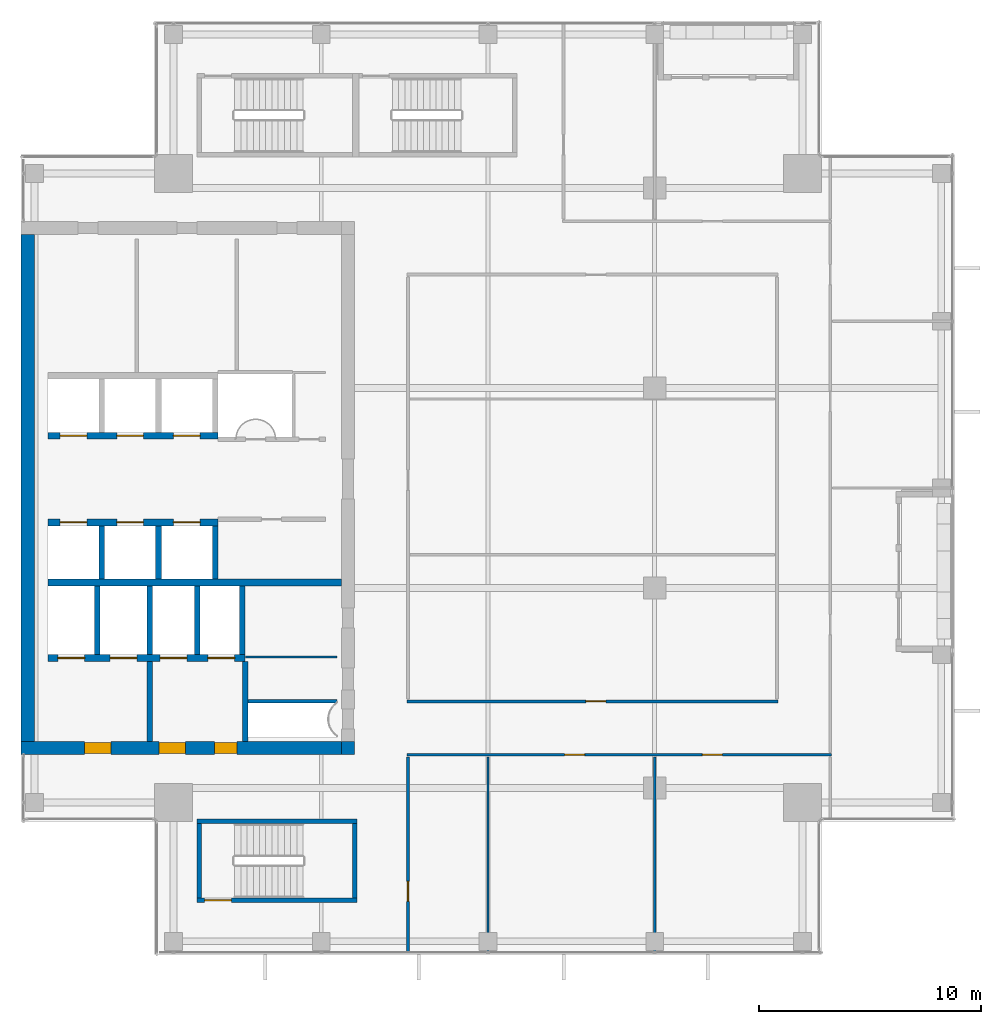
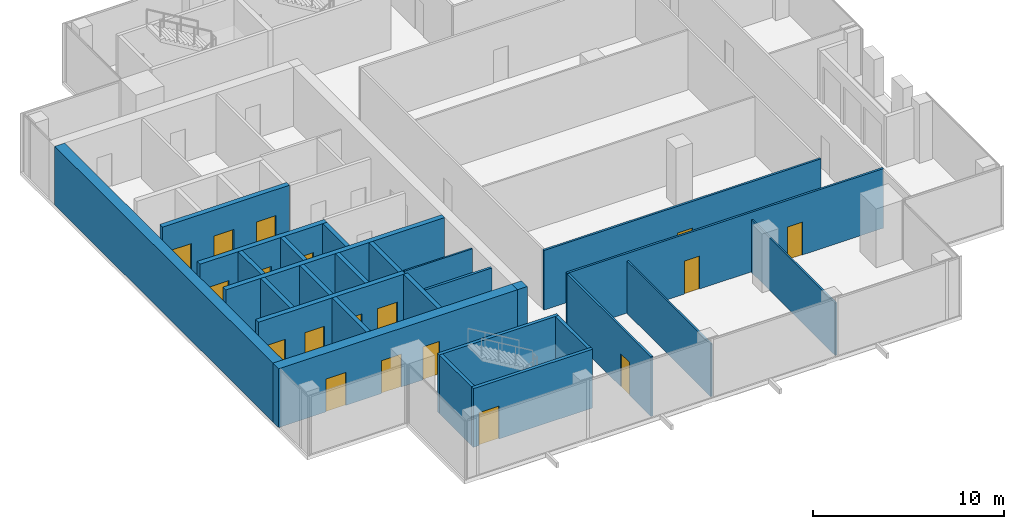
# One storey, part 24 of 29: 27 walls, 18 doors, 18 openings.
"""IFC4 building model written with IfcOpenShell, lengths in metres."""

from ifc_helpers import new_model, si_unit, direction, frame, frame_2d, origin, place, context, subcontext, project, spatial, rectangle, extrude, source, transform, mapped, material, layer, layer_set, type_object, element, fill, save


model = new_model("IFC4")

# Units and contexts
model_context = context("Model", 3, precision=1e-05, world=origin(), true_north=direction((0.0, 1.0)))
body_context = subcontext(model_context, "Body", "Model", "MODEL_VIEW")
ifc_project = project(units=[si_unit("LENGTHUNIT", "METRE"), si_unit("AREAUNIT", "SQUARE_METRE"), si_unit("VOLUMEUNIT", "CUBIC_METRE"), si_unit("PLANEANGLEUNIT", "RADIAN"), si_unit("MASSUNIT", "GRAM", prefix="KILO")], contexts=[model_context])

# Site, building, storey
site_placement = place(None, origin())
site = spatial("IfcSite", under=ifc_project, at=site_placement, CompositionType="ELEMENT")
building_placement = place(site_placement, origin())
building = spatial("IfcBuilding", under=site, at=building_placement, Name="Khomas Fold Tower", CompositionType="ELEMENT")
storey_placement = place(building_placement, frame((0.0, 0.0, 286.199951171875)))
storey = spatial("IfcBuildingStorey", under=building, at=storey_placement, Name="L64", CompositionType="ELEMENT", Elevation=286.199951171875)

# Wall
ifc_material_1 = material(Name="Concrete C50/60", Category="concrete")
ifc_layer_1 = layer(ifc_material_1, 0.199951171875)
ifc_layer_set_1 = layer_set([ifc_layer_1], Name="Concrete C50/60")
wall_type_1 = type_object("IfcWallType", Name="Stair wall 200", PredefinedType="SHEAR", material=ifc_layer_set_1)
shared_shape_1 = source(origin(), body_context, "Body", "SweptSolid", [
    extrude(rectangle(XDim=7.2001953125, YDim=0.199951171875, at=frame_2d((3.60009765625, 0.0))), origin(), (0.0, 0.0, 1.0), 3.75),
])
wall_1_placement = place(storey_placement, frame((13.89990234375, 12.0, 0.0), z_axis=(0.0, 0.0, 1.0), x_axis=(1.0, 0.0, 0.0)))
element("IfcWall", 1, at=wall_1_placement, inside=storey, type_object=wall_type_1, Name="Stair wall SW-ST2-NH", PredefinedType="SHEAR", context=body_context, shape_type="MappedRepresentation", body=[
    mapped(shared_shape_1, transform((0.0, 0.0, 0.0))),
])

# Wall, opening, door
wall_2_placement = place(storey_placement, frame((13.89990234375, 8.449951171875, 0.0), z_axis=(0.0, 0.0, 1.0), x_axis=(1.0, 0.0, 0.0)))
wall_2 = element("IfcWall", 2, at=wall_2_placement, inside=storey, type_object=wall_type_1, Name="Stair wall SW-ST2-S", PredefinedType="SHEAR", context=body_context, shape_type="MappedRepresentation", body=[
    mapped(shared_shape_1, transform((0.0, 0.0, 0.0))),
])
shared_shape_2 = source(origin(), body_context, "Body", "SweptSolid", [
    extrude(rectangle(XDim=1.199951171875, YDim=2.10009765625, at=frame_2d((0.60009765625, 1.050048828125))), frame((0.0, 0.10986328125, 0.0), z_axis=(0.0, -1.0, 0.0), x_axis=(1.0, 0.0, 0.0)), (0.0, 0.0, 1.0), 0.219970703125),
])
opening_1_placement = place(wall_2_placement, frame((0.35009765625, 0.0, 0.0)))
opening_1 = element("IfcOpeningElement", 3, at=opening_1_placement, cuts=wall_2, Name="Opening SD-ST2", PredefinedType="OPENING", context=body_context, shape_type="MappedRepresentation", body=[
    mapped(shared_shape_2, transform((0.0, 0.0, 0.0))),
])
ifc_material_2 = material(Name="Steel door leaf", Category="steel")
door_type_1 = type_object("IfcDoorType", Name="Stair door 1200x2100 right-hand", OperationType="SINGLE_SWING_RIGHT", PredefinedType="DOOR", material=ifc_material_2)
shared_shape_3 = source(origin(), body_context, "Body", "SweptSolid", [
    extrude(rectangle(XDim=1.199951171875, YDim=2.10009765625, at=frame_2d((0.60009765625, 1.050048828125))), frame((0.0, 0.02490234375, 0.0), z_axis=(0.0, -1.0, 0.0), x_axis=(1.0, 0.0, 0.0)), (0.0, 0.0, 1.0), 0.050048828125),
])
door_1_placement = place(opening_1_placement, origin())
door_1 = element("IfcDoor", 4, at=door_1_placement, inside=storey, type_object=door_type_1, Name="Stair door", OperationType="SINGLE_SWING_RIGHT", OverallHeight=2.10009765625, OverallWidth=1.199951171875, PredefinedType="DOOR", context=body_context, shape_type="MappedRepresentation", body=[
    mapped(shared_shape_3, transform((0.0, 0.0, 0.0))),
])
fill(opening_1, door_1)

# Walls
shared_shape_4 = source(origin(), body_context, "Body", "SweptSolid", [
    extrude(rectangle(XDim=3.349853515625, YDim=0.199951171875, at=frame_2d((1.6748046875, 0.0))), origin(), (0.0, 0.0, 1.0), 3.75),
])
for number, where, z_axis, x_axis, name in (
    (5, (21.0, 8.550048828125, 0.0), (0.0, 0.0, 1.0), (0.0, 1.0, 0.0), "Stair wall SW-ST2-E"),
    (6, (14.0, 8.550048828125, 0.0), (0.0, 0.0, 1.0), (0.0, 1.0, 0.0), "Stair wall SW-ST2-W"),
):
    element("IfcWall", number, at=place(storey_placement, frame(where, z_axis=z_axis, x_axis=x_axis)), inside=storey, type_object=wall_type_1, Name=name, PredefinedType="SHEAR", context=body_context, shape_type="MappedRepresentation", body=[
        mapped(shared_shape_4, transform((0.0, 0.0, 0.0))),
    ])
ifc_material_3 = material(Name="Concrete C50/60", Category="concrete")
ifc_layer_2 = layer(ifc_material_3, 0.25)
ifc_layer_set_2 = layer_set([ifc_layer_2], Name="Concrete C50/60")
wall_type_2 = type_object("IfcWallType", Name="Shaft wall 250", PredefinedType="STANDARD", material=ifc_layer_set_2)
shared_shape_5 = source(origin(), body_context, "Body", "SweptSolid", [
    extrude(rectangle(XDim=3.10009765625, YDim=0.25, at=frame_2d((1.550048828125, 0.0))), origin(), (0.0, 0.0, 1.0), 3.75),
])
for number, where, z_axis, x_axis, name in (
    (7, (9.425048828125, 19.5, 0.0), (0.0, 0.0, 1.0), (0.0, 1.0, 0.0), "Core wall SW-FS-P1"),
    (8, (11.77490234375, 19.5, 0.0), (0.0, 0.0, 1.0), (0.0, 1.0, 0.0), "Core wall SW-FS-P2"),
    (9, (13.925048828125, 19.5, 0.0), (0.0, 0.0, 1.0), (0.0, 1.0, 0.0), "Core wall SW-FS-P3"),
    (10, (15.949951171875, 19.5, 0.0), (0.0, 0.0, 1.0), (0.0, 1.0, 0.0), "Core wall SW-FS-PE"),
):
    element("IfcWall", number, at=place(storey_placement, frame(where, z_axis=z_axis, x_axis=x_axis)), inside=storey, type_object=wall_type_2, Name=name, PredefinedType="STANDARD", context=body_context, shape_type="MappedRepresentation", body=[
        mapped(shared_shape_5, transform((0.0, 0.0, 0.0))),
    ])
shared_shape_6 = source(origin(), body_context, "Body", "SweptSolid", [
    extrude(rectangle(XDim=2.400146484375, YDim=0.25, at=frame_2d((1.2001953125, 0.0))), origin(), (0.0, 0.0, 1.0), 3.75),
])
for number, where, z_axis, x_axis, name in (
    (11, (9.625, 22.89990234375, 0.0), (0.0, 0.0, 1.0), (0.0, 1.0, 0.0), "Core wall SW-HRS-P1"),
    (12, (12.175048828125, 22.89990234375, 0.0), (0.0, 0.0, 1.0), (0.0, 1.0, 0.0), "Core wall SW-HRS-P2"),
    (13, (14.72509765625, 22.89990234375, 0.0), (0.0, 0.0, 1.0), (0.0, 1.0, 0.0), "Core wall SW-HRS-PE"),
):
    element("IfcWall", number, at=place(storey_placement, frame(where, z_axis=z_axis, x_axis=x_axis)), inside=storey, type_object=wall_type_2, Name=name, PredefinedType="STANDARD", context=body_context, shape_type="MappedRepresentation", body=[
        mapped(shared_shape_6, transform((0.0, 0.0, 0.0))),
    ])

# Wall, openings, doors
ifc_material_4 = material(Name="Concrete C50/60", Category="concrete")
ifc_layer_3 = layer(ifc_material_4, 0.60009765625)
ifc_layer_set_3 = layer_set([ifc_layer_3], Name="Concrete C50/60")
wall_type_3 = type_object("IfcWallType", Name="Core wall 600", PredefinedType="SHEAR", material=ifc_layer_set_3)
shared_shape_7 = source(origin(), body_context, "Body", "SweptSolid", [
    extrude(rectangle(XDim=14.39990234375, YDim=0.60009765625, at=frame_2d((7.199951171875, 0.0))), origin(), (0.0, 0.0, 1.0), 3.75),
])
wall_3_placement = place(storey_placement, frame((6.0, 15.300048828125, 0.0), z_axis=(0.0, 0.0, 1.0), x_axis=(1.0, 0.0, 0.0)))
wall_3 = element("IfcWall", 14, at=wall_3_placement, inside=storey, type_object=wall_type_3, Name="Core wall CW-U-S-L63", PredefinedType="SHEAR", context=body_context, shape_type="MappedRepresentation", body=[
    mapped(shared_shape_7, transform((0.0, 0.0, 0.0))),
])
shared_shape_8 = source(origin(), body_context, "Body", "SweptSolid", [
    extrude(rectangle(XDim=1.199951171875, YDim=2.10009765625, at=frame_2d((0.60009765625, 1.050048828125))), frame((0.0, 0.31005859375, 0.0), z_axis=(0.0, -1.0, 0.0), x_axis=(1.0, 0.0, 0.0)), (0.0, 0.0, 1.0), 0.6201171875),
])
opening_2_placement = place(wall_3_placement, frame((6.199951171875, 0.0, 0.0)))
opening_2 = element("IfcOpeningElement", 15, at=opening_2_placement, cuts=wall_3, Name="Opening 0009", PredefinedType="OPENING", context=body_context, shape_type="MappedRepresentation", body=[
    mapped(shared_shape_8, transform((0.0, 0.0, 0.0))),
])
opening_3_placement = place(wall_3_placement, frame((2.85009765625, 0.0, 0.0)))
opening_3 = element("IfcOpeningElement", 16, at=opening_3_placement, cuts=wall_3, Name="Opening 0009", PredefinedType="OPENING", context=body_context, shape_type="MappedRepresentation", body=[
    mapped(shared_shape_8, transform((0.0, 0.0, 0.0))),
])
shared_shape_9 = source(origin(), body_context, "Body", "SweptSolid", [
    extrude(rectangle(XDim=1.0, YDim=2.10009765625, at=frame_2d((0.5, 1.050048828125))), frame((0.0, 0.31005859375, 0.0), z_axis=(0.0, -1.0, 0.0), x_axis=(1.0, 0.0, 0.0)), (0.0, 0.0, 1.0), 0.6201171875),
])
opening_4_placement = place(wall_3_placement, frame((8.699951171875, 0.0, 0.0)))
opening_4 = element("IfcOpeningElement", 17, at=opening_4_placement, cuts=wall_3, Name="Opening 0010", PredefinedType="OPENING", context=body_context, shape_type="MappedRepresentation", body=[
    mapped(shared_shape_9, transform((0.0, 0.0, 0.0))),
])
ifc_material_5 = material(Name="Steel door leaf", Category="steel")
door_type_2 = type_object("IfcDoorType", Name="Stair door 1000x2100 right-hand", OperationType="SINGLE_SWING_RIGHT", PredefinedType="DOOR", material=ifc_material_5)
shared_shape_10 = source(origin(), body_context, "Body", "SweptSolid", [
    extrude(rectangle(XDim=1.0, YDim=2.10009765625, at=frame_2d((0.5, 1.050048828125))), frame((0.0, 0.25, 0.0), z_axis=(0.0, -1.0, 0.0), x_axis=(1.0, 0.0, 0.0)), (0.0, 0.0, 1.0), 0.5),
])
door_2_placement = place(opening_4_placement, origin())
door_2 = element("IfcDoor", 18, at=door_2_placement, inside=storey, type_object=door_type_2, Name="Stair door", OperationType="SINGLE_SWING_RIGHT", OverallHeight=2.10009765625, OverallWidth=1.0, PredefinedType="DOOR", context=body_context, shape_type="MappedRepresentation", body=[
    mapped(shared_shape_10, transform((0.0, 0.0, 0.0))),
])
fill(opening_4, door_2)
ifc_material_6 = material(Name="Steel door leaf", Category="steel")
door_type_3 = type_object("IfcDoorType", Name="Lobby door 1200x2100 right-hand", OperationType="SINGLE_SWING_RIGHT", PredefinedType="DOOR", material=ifc_material_6)
shared_shape_11 = source(origin(), body_context, "Body", "SweptSolid", [
    extrude(rectangle(XDim=1.199951171875, YDim=2.10009765625, at=frame_2d((0.60009765625, 1.050048828125))), frame((0.0, 0.25, 0.0), z_axis=(0.0, -1.0, 0.0), x_axis=(1.0, 0.0, 0.0)), (0.0, 0.0, 1.0), 0.5),
])
door_3_placement = place(opening_2_placement, origin())
door_3 = element("IfcDoor", 19, at=door_3_placement, inside=storey, type_object=door_type_3, Name="Lobby door", OperationType="SINGLE_SWING_RIGHT", OverallHeight=2.10009765625, OverallWidth=1.199951171875, PredefinedType="DOOR", context=body_context, shape_type="MappedRepresentation", body=[
    mapped(shared_shape_11, transform((0.0, 0.0, 0.0))),
])
fill(opening_2, door_3)
door_4_placement = place(opening_3_placement, origin())
door_4 = element("IfcDoor", 20, at=door_4_placement, inside=storey, type_object=door_type_3, Name="Lobby door", OperationType="SINGLE_SWING_RIGHT", OverallHeight=2.10009765625, OverallWidth=1.199951171875, PredefinedType="DOOR", context=body_context, shape_type="MappedRepresentation", body=[
    mapped(shared_shape_11, transform((0.0, 0.0, 0.0))),
])
fill(opening_3, door_4)

# Walls
ifc_material_7 = material(Name="Concrete C50/60", Category="concrete")
ifc_layer_4 = layer(ifc_material_7, 0.60009765625)
ifc_layer_set_4 = layer_set([ifc_layer_4], Name="Concrete C50/60")
wall_type_4 = type_object("IfcWallType", Name="Core corner wall 600", PredefinedType="SHEAR", material=ifc_layer_set_4)
shared_shape_12 = source(origin(), body_context, "Body", "SweptSolid", [
    extrude(rectangle(XDim=0.60009765625, YDim=0.60009765625, at=frame_2d((0.300048828125, 0.0))), origin(), (0.0, 0.0, 1.0), 3.75),
])
wall_4_placement = place(storey_placement, frame((20.39990234375, 15.300048828125, 0.0), z_axis=(0.0, 0.0, 1.0), x_axis=(1.0, 0.0, 0.0)))
element("IfcWall", 21, at=wall_4_placement, inside=storey, type_object=wall_type_4, Name="Core wall CW-U-SE-L63", PredefinedType="SHEAR", context=body_context, shape_type="MappedRepresentation", body=[
    mapped(shared_shape_12, transform((0.0, 0.0, 0.0))),
])
shared_shape_13 = source(origin(), body_context, "Body", "SweptSolid", [
    extrude(rectangle(XDim=22.7998046875, YDim=0.60009765625, at=frame_2d((11.39990234375, 0.0))), origin(), (0.0, 0.0, 1.0), 3.75),
])
wall_5_placement = place(storey_placement, frame((6.300048828125, 15.60009765625, 0.0), z_axis=(0.0, 0.0, 1.0), x_axis=(0.0, 1.0, 0.0)))
element("IfcWall", 22, at=wall_5_placement, inside=storey, type_object=wall_type_3, Name="Core wall CW-U-W-L63", PredefinedType="SHEAR", context=body_context, shape_type="MappedRepresentation", body=[
    mapped(shared_shape_13, transform((0.0, 0.0, 0.0))),
])
ifc_material_8 = material(Name="Concrete C50/60", Category="concrete")
ifc_layer_5 = layer(ifc_material_8, 0.300048828125)
ifc_layer_set_5 = layer_set([ifc_layer_5], Name="Concrete C50/60")
wall_type_5 = type_object("IfcWallType", Name="Shaft wall 300", PredefinedType="STANDARD", material=ifc_layer_set_5)
shared_shape_14 = source(origin(), body_context, "Body", "SweptSolid", [
    extrude(rectangle(XDim=13.199951171875, YDim=0.300048828125, at=frame_2d((6.60009765625, 0.0))), origin(), (0.0, 0.0, 1.0), 3.75),
])
wall_6_placement = place(storey_placement, frame((7.199951171875, 22.75, 0.0), z_axis=(0.0, 0.0, 1.0), x_axis=(1.0, 0.0, 0.0)))
element("IfcWall", 23, at=wall_6_placement, inside=storey, type_object=wall_type_5, Name="Core wall SW-FS-B", PredefinedType="STANDARD", context=body_context, shape_type="MappedRepresentation", body=[
    mapped(shared_shape_14, transform((0.0, 0.0, 0.0))),
])

# Wall, openings, doors
shared_shape_15 = source(origin(), body_context, "Body", "SweptSolid", [
    extrude(rectangle(XDim=8.875, YDim=0.300048828125, at=frame_2d((4.4375, 0.0))), origin(), (0.0, 0.0, 1.0), 3.75),
])
wall_7_placement = place(storey_placement, frame((7.199951171875, 19.35009765625, 0.0), z_axis=(0.0, 0.0, 1.0), x_axis=(1.0, 0.0, 0.0)))
wall_7 = element("IfcWall", 24, at=wall_7_placement, inside=storey, type_object=wall_type_5, Name="Core wall SW-FS-F", PredefinedType="STANDARD", context=body_context, shape_type="MappedRepresentation", body=[
    mapped(shared_shape_15, transform((0.0, 0.0, 0.0))),
])
shared_shape_16 = source(origin(), body_context, "Body", "SweptSolid", [
    extrude(rectangle(XDim=1.199951171875, YDim=2.10009765625, at=frame_2d((0.60009765625, 1.050048828125))), frame((0.0, 0.159912109375, 0.0), z_axis=(0.0, -1.0, 0.0), x_axis=(1.0, 0.0, 0.0)), (0.0, 0.0, 1.0), 0.320068359375),
])
opening_5_placement = place(wall_7_placement, frame((0.449951171875, 0.0, 0.0)))
opening_5 = element("IfcOpeningElement", 25, at=opening_5_placement, cuts=wall_7, Name="Opening LD-SV1", PredefinedType="OPENING", context=body_context, shape_type="MappedRepresentation", body=[
    mapped(shared_shape_16, transform((0.0, 0.0, 0.0))),
])
opening_6_placement = place(wall_7_placement, frame((2.800048828125, 0.0, 0.0)))
opening_6 = element("IfcOpeningElement", 26, at=opening_6_placement, cuts=wall_7, Name="Opening LD-SV2", PredefinedType="OPENING", context=body_context, shape_type="MappedRepresentation", body=[
    mapped(shared_shape_16, transform((0.0, 0.0, 0.0))),
])
opening_7_placement = place(wall_7_placement, frame((5.050048828125, 0.0, 0.0)))
opening_7 = element("IfcOpeningElement", 27, at=opening_7_placement, cuts=wall_7, Name="Opening LD-FF1", PredefinedType="OPENING", context=body_context, shape_type="MappedRepresentation", body=[
    mapped(shared_shape_16, transform((0.0, 0.0, 0.0))),
])
opening_8_placement = place(wall_7_placement, frame((7.199951171875, 0.0, 0.0)))
opening_8 = element("IfcOpeningElement", 28, at=opening_8_placement, cuts=wall_7, Name="Opening LD-FF2", PredefinedType="OPENING", context=body_context, shape_type="MappedRepresentation", body=[
    mapped(shared_shape_16, transform((0.0, 0.0, 0.0))),
])
ifc_material_9 = material(Name="Steel door leaf", Category="steel")
door_type_4 = type_object("IfcDoorType", Name="Landing door 1200x2100", OperationType="DOUBLE_DOOR_SLIDING", PredefinedType="DOOR", material=ifc_material_9)
door_5_placement = place(opening_5_placement, origin())
door_5 = element("IfcDoor", 29, at=door_5_placement, inside=storey, type_object=door_type_4, Name="Lift landing door", OperationType="DOUBLE_DOOR_SLIDING", OverallHeight=2.10009765625, OverallWidth=1.199951171875, PredefinedType="DOOR", context=body_context, shape_type="MappedRepresentation", body=[
    mapped(shared_shape_3, transform((0.0, 0.0, 0.0))),
])
fill(opening_5, door_5)
door_6_placement = place(opening_6_placement, origin())
door_6 = element("IfcDoor", 30, at=door_6_placement, inside=storey, type_object=door_type_4, Name="Lift landing door", OperationType="DOUBLE_DOOR_SLIDING", OverallHeight=2.10009765625, OverallWidth=1.199951171875, PredefinedType="DOOR", context=body_context, shape_type="MappedRepresentation", body=[
    mapped(shared_shape_3, transform((0.0, 0.0, 0.0))),
])
fill(opening_6, door_6)
door_7_placement = place(opening_7_placement, origin())
door_7 = element("IfcDoor", 31, at=door_7_placement, inside=storey, type_object=door_type_4, Name="Lift landing door", OperationType="DOUBLE_DOOR_SLIDING", OverallHeight=2.10009765625, OverallWidth=1.199951171875, PredefinedType="DOOR", context=body_context, shape_type="MappedRepresentation", body=[
    mapped(shared_shape_3, transform((0.0, 0.0, 0.0))),
])
fill(opening_7, door_7)
door_8_placement = place(opening_8_placement, origin())
door_8 = element("IfcDoor", 32, at=door_8_placement, inside=storey, type_object=door_type_4, Name="Lift landing door", OperationType="DOUBLE_DOOR_SLIDING", OverallHeight=2.10009765625, OverallWidth=1.199951171875, PredefinedType="DOOR", context=body_context, shape_type="MappedRepresentation", body=[
    mapped(shared_shape_3, transform((0.0, 0.0, 0.0))),
])
fill(opening_8, door_8)

shared_shape_17 = source(origin(), body_context, "Body", "SweptSolid", [
    extrude(rectangle(XDim=7.650146484375, YDim=0.300048828125, at=frame_2d((3.8251953125, 0.0))), origin(), (0.0, 0.0, 1.0), 3.75),
])
wall_8_placement = place(storey_placement, frame((7.199951171875, 29.35009765625, 0.0), z_axis=(0.0, 0.0, 1.0), x_axis=(1.0, 0.0, 0.0)))
wall_8 = element("IfcWall", 33, at=wall_8_placement, inside=storey, type_object=wall_type_5, Name="Core wall SW-HRN-F", PredefinedType="STANDARD", context=body_context, shape_type="MappedRepresentation", body=[
    mapped(shared_shape_17, transform((0.0, 0.0, 0.0))),
])
opening_9_placement = place(wall_8_placement, frame((0.550048828125, 0.0, 0.0)))
opening_9 = element("IfcOpeningElement", 34, at=opening_9_placement, cuts=wall_8, Name="Opening LD-HR4", PredefinedType="OPENING", context=body_context, shape_type="MappedRepresentation", body=[
    mapped(shared_shape_16, transform((0.0, 0.0, 0.0))),
])
opening_10_placement = place(wall_8_placement, frame((3.10009765625, 0.0, 0.0)))
opening_10 = element("IfcOpeningElement", 35, at=opening_10_placement, cuts=wall_8, Name="Opening LD-HR5", PredefinedType="OPENING", context=body_context, shape_type="MappedRepresentation", body=[
    mapped(shared_shape_16, transform((0.0, 0.0, 0.0))),
])
opening_11_placement = place(wall_8_placement, frame((5.64990234375, 0.0, 0.0)))
opening_11 = element("IfcOpeningElement", 36, at=opening_11_placement, cuts=wall_8, Name="Opening LD-HR6", PredefinedType="OPENING", context=body_context, shape_type="MappedRepresentation", body=[
    mapped(shared_shape_16, transform((0.0, 0.0, 0.0))),
])
door_9_placement = place(opening_9_placement, origin())
door_9 = element("IfcDoor", 37, at=door_9_placement, inside=storey, type_object=door_type_4, Name="Lift landing door", OperationType="DOUBLE_DOOR_SLIDING", OverallHeight=2.10009765625, OverallWidth=1.199951171875, PredefinedType="DOOR", context=body_context, shape_type="MappedRepresentation", body=[
    mapped(shared_shape_3, transform((0.0, 0.0, 0.0))),
])
fill(opening_9, door_9)
door_10_placement = place(opening_10_placement, origin())
door_10 = element("IfcDoor", 38, at=door_10_placement, inside=storey, type_object=door_type_4, Name="Lift landing door", OperationType="DOUBLE_DOOR_SLIDING", OverallHeight=2.10009765625, OverallWidth=1.199951171875, PredefinedType="DOOR", context=body_context, shape_type="MappedRepresentation", body=[
    mapped(shared_shape_3, transform((0.0, 0.0, 0.0))),
])
fill(opening_10, door_10)
door_11_placement = place(opening_11_placement, origin())
door_11 = element("IfcDoor", 39, at=door_11_placement, inside=storey, type_object=door_type_4, Name="Lift landing door", OperationType="DOUBLE_DOOR_SLIDING", OverallHeight=2.10009765625, OverallWidth=1.199951171875, PredefinedType="DOOR", context=body_context, shape_type="MappedRepresentation", body=[
    mapped(shared_shape_3, transform((0.0, 0.0, 0.0))),
])
fill(opening_11, door_11)

wall_9_placement = place(storey_placement, frame((7.199951171875, 25.449951171875, 0.0), z_axis=(0.0, 0.0, 1.0), x_axis=(1.0, 0.0, 0.0)))
wall_9 = element("IfcWall", 40, at=wall_9_placement, inside=storey, type_object=wall_type_5, Name="Core wall SW-HRS-F", PredefinedType="STANDARD", context=body_context, shape_type="MappedRepresentation", body=[
    mapped(shared_shape_17, transform((0.0, 0.0, 0.0))),
])
opening_12_placement = place(wall_9_placement, frame((0.550048828125, 0.0, 0.0)))
opening_12 = element("IfcOpeningElement", 41, at=opening_12_placement, cuts=wall_9, Name="Opening LD-HR1", PredefinedType="OPENING", context=body_context, shape_type="MappedRepresentation", body=[
    mapped(shared_shape_16, transform((0.0, 0.0, 0.0))),
])
opening_13_placement = place(wall_9_placement, frame((3.10009765625, 0.0, 0.0)))
opening_13 = element("IfcOpeningElement", 42, at=opening_13_placement, cuts=wall_9, Name="Opening LD-HR2", PredefinedType="OPENING", context=body_context, shape_type="MappedRepresentation", body=[
    mapped(shared_shape_16, transform((0.0, 0.0, 0.0))),
])
opening_14_placement = place(wall_9_placement, frame((5.64990234375, 0.0, 0.0)))
opening_14 = element("IfcOpeningElement", 43, at=opening_14_placement, cuts=wall_9, Name="Opening LD-HR3", PredefinedType="OPENING", context=body_context, shape_type="MappedRepresentation", body=[
    mapped(shared_shape_16, transform((0.0, 0.0, 0.0))),
])
door_12_placement = place(opening_12_placement, origin())
door_12 = element("IfcDoor", 44, at=door_12_placement, inside=storey, type_object=door_type_4, Name="Lift landing door", OperationType="DOUBLE_DOOR_SLIDING", OverallHeight=2.10009765625, OverallWidth=1.199951171875, PredefinedType="DOOR", context=body_context, shape_type="MappedRepresentation", body=[
    mapped(shared_shape_3, transform((0.0, 0.0, 0.0))),
])
fill(opening_12, door_12)
door_13_placement = place(opening_13_placement, origin())
door_13 = element("IfcDoor", 45, at=door_13_placement, inside=storey, type_object=door_type_4, Name="Lift landing door", OperationType="DOUBLE_DOOR_SLIDING", OverallHeight=2.10009765625, OverallWidth=1.199951171875, PredefinedType="DOOR", context=body_context, shape_type="MappedRepresentation", body=[
    mapped(shared_shape_3, transform((0.0, 0.0, 0.0))),
])
fill(opening_13, door_13)
door_14_placement = place(opening_14_placement, origin())
door_14 = element("IfcDoor", 46, at=door_14_placement, inside=storey, type_object=door_type_4, Name="Lift landing door", OperationType="DOUBLE_DOOR_SLIDING", OverallHeight=2.10009765625, OverallWidth=1.199951171875, PredefinedType="DOOR", context=body_context, shape_type="MappedRepresentation", body=[
    mapped(shared_shape_3, transform((0.0, 0.0, 0.0))),
])
fill(opening_14, door_14)

# Walls
ifc_material_10 = material(Name="Concrete C50/60", Category="concrete")
ifc_layer_6 = layer(ifc_material_10, 0.25)
ifc_layer_set_6 = layer_set([ifc_layer_6], Name="Concrete C50/60")
wall_type_6 = type_object("IfcWallType", Name="Lobby wall 250", PredefinedType="STANDARD", material=ifc_layer_set_6)
shared_shape_18 = source(origin(), body_context, "Body", "SweptSolid", [
    extrude(rectangle(XDim=3.599853515625, YDim=0.25, at=frame_2d((1.7998046875, 0.0))), origin(), (0.0, 0.0, 1.0), 3.75),
])
for number, where, z_axis, x_axis, name in (
    (47, (16.074951171875, 15.60009765625, 0.0), (0.0, 0.0, 1.0), (0.0, 1.0, 0.0), "Core wall SW-FS-LOB-E"),
    (48, (11.77490234375, 15.60009765625, 0.0), (0.0, 0.0, 1.0), (0.0, 1.0, 0.0), "Core wall SW-FS-SEP"),
):
    element("IfcWall", number, at=place(storey_placement, frame(where, z_axis=z_axis, x_axis=x_axis)), inside=storey, type_object=wall_type_6, Name=name, PredefinedType="STANDARD", context=body_context, shape_type="MappedRepresentation", body=[
        mapped(shared_shape_18, transform((0.0, 0.0, 0.0))),
    ])
ifc_material_11 = material(Name="Plasterboard fire partition")
ifc_layer_7 = layer(ifc_material_11, 0.14990234375)
ifc_layer_set_7 = layer_set([ifc_layer_7], Name="Plasterboard fire partition")
wall_type_7 = type_object("IfcWallType", Name="Plant room wall PW3 150", PredefinedType="PARTITIONING", material=ifc_layer_set_7)
shared_shape_19 = source(origin(), body_context, "Body", "SweptSolid", [
    extrude(rectangle(XDim=4.0, YDim=0.14990234375, at=frame_2d((2.0, 0.0))), origin(), (0.0, 0.0, 1.0), 3.800048828125),
])
wall_10_placement = place(storey_placement, frame((16.199951171875, 17.39990234375, 0.0), z_axis=(0.0, 0.0, 1.0), x_axis=(1.0, 0.0, 0.0)))
element("IfcWall", 49, at=wall_10_placement, inside=storey, type_object=wall_type_7, Name="Plant room wall", PredefinedType="PARTITIONING", context=body_context, shape_type="MappedRepresentation", body=[
    mapped(shared_shape_19, transform((0.0, 0.0, 0.0))),
])
ifc_material_12 = material(Name="Plasterboard partition")
ifc_layer_8 = layer(ifc_material_12, 0.10009765625)
ifc_layer_set_8 = layer_set([ifc_layer_8], Name="Plasterboard partition")
wall_type_8 = type_object("IfcWallType", Name="Partition PW1 100", PredefinedType="PARTITIONING", material=ifc_layer_set_8)
shared_shape_20 = source(origin(), body_context, "Body", "SweptSolid", [
    extrude(rectangle(XDim=4.099853515625, YDim=0.10009765625, at=frame_2d((2.0498046875, 0.0))), origin(), (0.0, 0.0, 1.0), 3.800048828125),
])
wall_11_placement = place(storey_placement, frame((16.10009765625, 19.39990234375, 0.0), z_axis=(0.0, 0.0, 1.0), x_axis=(1.0, 0.0, 0.0)))
element("IfcWall", 50, at=wall_11_placement, inside=storey, type_object=wall_type_8, Name="Partition", PredefinedType="PARTITIONING", context=body_context, shape_type="MappedRepresentation", body=[
    mapped(shared_shape_20, transform((0.0, 0.0, 0.0))),
])

# Wall, opening, door
ifc_material_13 = material(Name="Plasterboard partition")
ifc_layer_9 = layer(ifc_material_13, 0.125)
ifc_layer_set_9 = layer_set([ifc_layer_9], Name="Plasterboard partition")
wall_type_9 = type_object("IfcWallType", Name="Partition PW2 125", PredefinedType="PARTITIONING", material=ifc_layer_set_9)
shared_shape_21 = source(origin(), body_context, "Body", "SweptSolid", [
    extrude(rectangle(XDim=8.75, YDim=0.125, at=frame_2d((4.375, 0.0))), origin(), (0.0, 0.0, 1.0), 3.800048828125),
])
wall_12_placement = place(storey_placement, frame((23.39990234375, 6.14990234375, 0.0), z_axis=(0.0, 0.0, 1.0), x_axis=(0.0, 1.0, 0.0)))
wall_12 = element("IfcWall", 51, at=wall_12_placement, inside=storey, type_object=wall_type_9, Name="Partition", PredefinedType="PARTITIONING", context=body_context, shape_type="MappedRepresentation", body=[
    mapped(shared_shape_21, transform((0.0, 0.0, 0.0))),
])
shared_shape_22 = source(origin(), body_context, "Body", "SweptSolid", [
    extrude(rectangle(XDim=0.89990234375, YDim=2.10009765625, at=frame_2d((0.449951171875, 1.050048828125))), frame((0.0, 0.072509765625, 0.0), z_axis=(0.0, -1.0, 0.0), x_axis=(1.0, 0.0, 0.0)), (0.0, 0.0, 1.0), 0.14501953125),
])
opening_15_placement = place(wall_12_placement, frame((2.25, 0.0, 0.0)))
opening_15 = element("IfcOpeningElement", 52, at=opening_15_placement, cuts=wall_12, Name="Opening 0007", PredefinedType="OPENING", context=body_context, shape_type="MappedRepresentation", body=[
    mapped(shared_shape_22, transform((0.0, 0.0, 0.0))),
])
ifc_material_14 = material(Name="Timber door leaf", Category="wood")
door_type_5 = type_object("IfcDoorType", Name="Door 900x2100 left-hand", OperationType="SINGLE_SWING_LEFT", PredefinedType="DOOR", material=ifc_material_14)
shared_shape_23 = source(origin(), body_context, "Body", "SweptSolid", [
    extrude(rectangle(XDim=0.89990234375, YDim=2.10009765625, at=frame_2d((0.449951171875, 1.050048828125))), frame((0.0, 0.02490234375, 0.0), z_axis=(0.0, -1.0, 0.0), x_axis=(1.0, 0.0, 0.0)), (0.0, 0.0, 1.0), 0.050048828125),
])
door_15_placement = place(opening_15_placement, origin())
door_15 = element("IfcDoor", 53, at=door_15_placement, inside=storey, type_object=door_type_5, Name="Door", OperationType="SINGLE_SWING_LEFT", OverallHeight=2.10009765625, OverallWidth=0.89990234375, PredefinedType="DOOR", context=body_context, shape_type="MappedRepresentation", body=[
    mapped(shared_shape_23, transform((0.0, 0.0, 0.0))),
])
fill(opening_15, door_15)

# Walls
shared_shape_24 = source(origin(), body_context, "Body", "SweptSolid", [
    extrude(rectangle(XDim=8.75, YDim=0.10009765625, at=frame_2d((4.375, 0.0))), origin(), (0.0, 0.0, 1.0), 3.35009765625),
])
for number, where, z_axis, x_axis, name in (
    (54, (27.0, 6.14990234375, 0.0), (0.0, 0.0, 1.0), (0.0, 1.0, 0.0), "Partition"),
    (55, (34.5, 6.14990234375, 0.0), (0.0, 0.0, 1.0), (0.0, 1.0, 0.0), "Partition"),
):
    element("IfcWall", number, at=place(storey_placement, frame(where, z_axis=z_axis, x_axis=x_axis)), inside=storey, type_object=wall_type_8, Name=name, PredefinedType="PARTITIONING", context=body_context, shape_type="MappedRepresentation", body=[
        mapped(shared_shape_24, transform((0.0, 0.0, 0.0))),
    ])

# Wall, openings, doors
shared_shape_25 = source(origin(), body_context, "Body", "SweptSolid", [
    extrude(rectangle(XDim=19.099853515625, YDim=0.125, at=frame_2d((9.5498046875, 0.0))), origin(), (0.0, 0.0, 1.0), 3.800048828125),
])
wall_13_placement = place(storey_placement, frame((23.35009765625, 15.0, 0.0), z_axis=(0.0, 0.0, 1.0), x_axis=(1.0, 0.0, 0.0)))
wall_13 = element("IfcWall", 56, at=wall_13_placement, inside=storey, type_object=wall_type_9, Name="Partition", PredefinedType="PARTITIONING", context=body_context, shape_type="MappedRepresentation", body=[
    mapped(shared_shape_25, transform((0.0, 0.0, 0.0))),
])
opening_16_placement = place(wall_13_placement, frame((7.10009765625, 0.0, 0.0)))
opening_16 = element("IfcOpeningElement", 57, at=opening_16_placement, cuts=wall_13, Name="Opening 0008", PredefinedType="OPENING", context=body_context, shape_type="MappedRepresentation", body=[
    mapped(shared_shape_22, transform((0.0, 0.0, 0.0))),
])
opening_17_placement = place(wall_13_placement, frame((13.300048828125, 0.0, 0.0)))
opening_17 = element("IfcOpeningElement", 58, at=opening_17_placement, cuts=wall_13, Name="Opening 0007", PredefinedType="OPENING", context=body_context, shape_type="MappedRepresentation", body=[
    mapped(shared_shape_22, transform((0.0, 0.0, 0.0))),
])
ifc_material_15 = material(Name="Timber door leaf", Category="wood")
door_type_6 = type_object("IfcDoorType", Name="Door 900x2100 right-hand", OperationType="SINGLE_SWING_RIGHT", PredefinedType="DOOR", material=ifc_material_15)
door_16_placement = place(opening_16_placement, origin())
door_16 = element("IfcDoor", 59, at=door_16_placement, inside=storey, type_object=door_type_6, Name="Door", OperationType="SINGLE_SWING_RIGHT", OverallHeight=2.10009765625, OverallWidth=0.89990234375, PredefinedType="DOOR", context=body_context, shape_type="MappedRepresentation", body=[
    mapped(shared_shape_23, transform((0.0, 0.0, 0.0))),
])
fill(opening_16, door_16)
door_17_placement = place(opening_17_placement, origin())
door_17 = element("IfcDoor", 60, at=door_17_placement, inside=storey, type_object=door_type_5, Name="Door", OperationType="SINGLE_SWING_LEFT", OverallHeight=2.10009765625, OverallWidth=0.89990234375, PredefinedType="DOOR", context=body_context, shape_type="MappedRepresentation", body=[
    mapped(shared_shape_23, transform((0.0, 0.0, 0.0))),
])
fill(opening_17, door_17)

# Wall, opening, door
shared_shape_26 = source(origin(), body_context, "Body", "SweptSolid", [
    extrude(rectangle(XDim=16.699951171875, YDim=0.125, at=frame_2d((8.35009765625, 0.0))), origin(), (0.0, 0.0, 1.0), 3.800048828125),
])
wall_14_placement = place(storey_placement, frame((23.35009765625, 17.39990234375, 0.0), z_axis=(0.0, 0.0, 1.0), x_axis=(1.0, 0.0, 0.0)))
wall_14 = element("IfcWall", 61, at=wall_14_placement, inside=storey, type_object=wall_type_9, Name="Partition", PredefinedType="PARTITIONING", context=body_context, shape_type="MappedRepresentation", body=[
    mapped(shared_shape_26, transform((0.0, 0.0, 0.0))),
])
opening_18_placement = place(wall_14_placement, frame((8.050048828125, 0.0, 0.0)))
opening_18 = element("IfcOpeningElement", 62, at=opening_18_placement, cuts=wall_14, Name="Opening 0007", PredefinedType="OPENING", context=body_context, shape_type="MappedRepresentation", body=[
    mapped(shared_shape_22, transform((0.0, 0.0, 0.0))),
])
door_18_placement = place(opening_18_placement, origin())
door_18 = element("IfcDoor", 63, at=door_18_placement, inside=storey, type_object=door_type_5, Name="Door", OperationType="SINGLE_SWING_LEFT", OverallHeight=2.10009765625, OverallWidth=0.89990234375, PredefinedType="DOOR", context=body_context, shape_type="MappedRepresentation", body=[
    mapped(shared_shape_23, transform((0.0, 0.0, 0.0))),
])
fill(opening_18, door_18)

save(model, "model.ifc")
